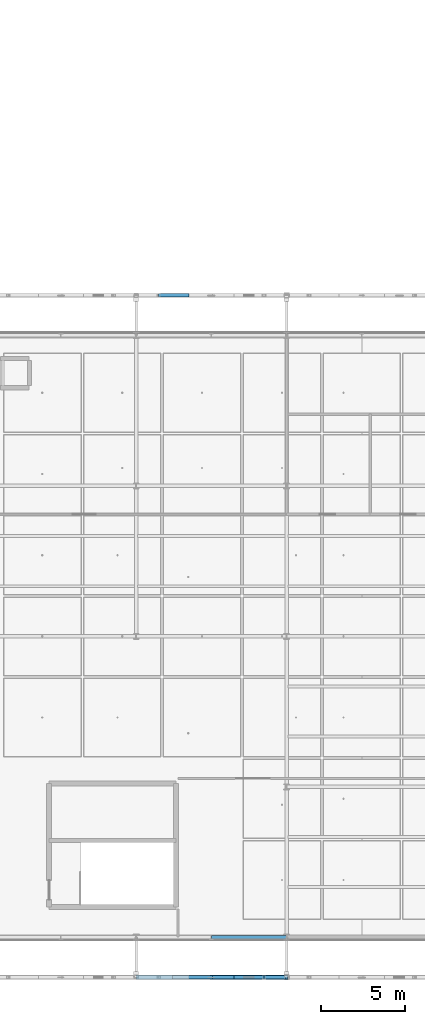
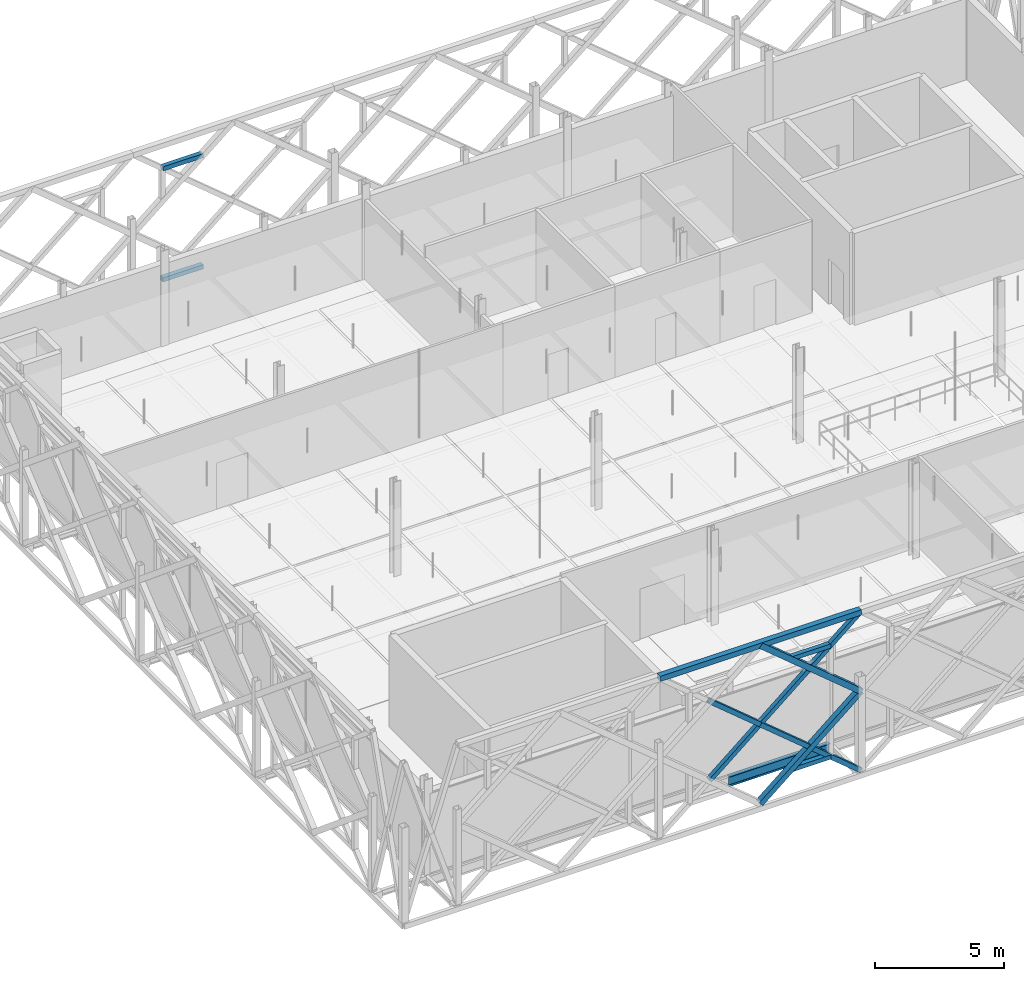
# One storey, part 15 of 66: 12 members, 1 beam.
"""IFC4 building model written with IfcOpenShell, lengths in metres."""

from ifc_helpers import new_model, si_unit, direction, frame, origin, origin_2d, place, context, subcontext, project, spatial, hollow_rectangle, i_section, extrude, material, material_profile, profile_set, type_object, element, save


model = new_model("IFC4")

# Units and contexts
model_context = context("Model", 3, precision=1e-05, world=origin(), true_north=direction((0.0, 1.0)))
body_context = subcontext(model_context, "Body", "Model", "MODEL_VIEW")
ifc_project = project(units=[si_unit("LENGTHUNIT", "METRE"), si_unit("AREAUNIT", "SQUARE_METRE"), si_unit("VOLUMEUNIT", "CUBIC_METRE"), si_unit("PLANEANGLEUNIT", "RADIAN"), si_unit("MASSUNIT", "GRAM", prefix="KILO"), si_unit("THERMODYNAMICTEMPERATUREUNIT", "KELVIN"), si_unit("POWERUNIT", "WATT")], contexts=[model_context])

# Site, building, storey
site_placement = place(None, origin())
site = spatial("IfcSite", under=ifc_project, at=site_placement, CompositionType="ELEMENT")
building_placement = place(site_placement, origin())
building = spatial("IfcBuilding", under=site, at=building_placement, Name="Tallowbark Science Centre", CompositionType="ELEMENT")
storey_placement = place(building_placement, frame((0.0, 0.0, 18.89990234375)))
storey = spatial("IfcBuildingStorey", under=building, at=storey_placement, Name="L04", CompositionType="ELEMENT", Elevation=18.89990234375)

# Members
ifc_material_1 = material(Name="White Architectural Painted Steel Grade C350L0 (350 MPa)", Category="steel")
ifc_material_profile_1 = material_profile(ifc_material_1, hollow_rectangle(XDim=0.25, YDim=0.25, WallThickness=0.009033203125, at=origin_2d()), Name="250x250x9.0SHS")
ifc_profile_set_1 = profile_set([ifc_material_profile_1], Name="White Architectural Painted Steel Grade C350L0 (350 MPa)")
member_type_1 = type_object("IfcMemberType", Name="SCR-CHD200", PredefinedType="CHORD", material=ifc_profile_set_1)
member_1_placement = place(storey_placement, frame((67.5, 2.10009765625, 7.5), z_axis=(1.0, 0.0, 0.0), x_axis=(0.0, 1.0, 0.0)))
element("IfcMember", 1, at=member_1_placement, inside=storey, type_object=member_type_1, Name="Star Screen Frame Chord S-38", PredefinedType="CHORD", context=body_context, shape_type="SweptSolid", body=[
    extrude(hollow_rectangle(XDim=0.25, YDim=0.25, WallThickness=0.009033203125, at=origin_2d()), origin(), (0.0, 0.0, 1.0), 9.0),
])
for number, where, z_axis, x_axis, name in (
    (2, (72.0, 2.10009765625, 0.0), (0.768221279597, 0.0, 0.640184399664), (0.0, 1.0, 0.0), "Star Screen Octagram Diamond Chord S-38-1"),
    (3, (76.5, 2.10009765625, 3.75), (-0.768221279597, 0.0, 0.640184399664), (0.0, -1.0, 0.0), "Star Screen Octagram Diamond Chord S-38-2"),
):
    element("IfcMember", number, at=place(storey_placement, frame(where, z_axis=z_axis, x_axis=x_axis)), inside=storey, type_object=member_type_1, Name=name, PredefinedType="CHORD", context=body_context, shape_type="SweptSolid", body=[
        extrude(hollow_rectangle(XDim=0.25, YDim=0.25, WallThickness=0.009033203125, at=origin_2d()), origin(), (0.0, 0.0, 1.0), 5.857666015625),
    ])
ifc_material_profile_2 = material_profile(ifc_material_1, hollow_rectangle(XDim=0.199951171875, YDim=0.199951171875, WallThickness=0.009033203125, at=origin_2d()), Name="200x200x9.0SHS")
ifc_profile_set_2 = profile_set([ifc_material_profile_2], Name="White Architectural Painted Steel Grade C350L0 (350 MPa)")
member_type_2 = type_object("IfcMemberType", Name="SCR-STAR139", PredefinedType="BRACE", material=ifc_profile_set_2)
member_2_placement = place(storey_placement, frame((69.75, 2.10009765625, 1.875), z_axis=(0.768221279597, 0.0, 0.640184399664), x_axis=(0.0, 1.0, 0.0)))
element("IfcMember", 4, at=member_2_placement, inside=storey, type_object=member_type_2, Name="Star Screen Continuous X-Diagonal D1M S-38", PredefinedType="BRACE", context=body_context, shape_type="SweptSolid", body=[
    extrude(hollow_rectangle(XDim=0.199951171875, YDim=0.199951171875, WallThickness=0.009033203125, at=origin_2d()), origin(), (0.0, 0.0, 1.0), 5.857666015625),
])
for number, where, z_axis, x_axis, name in (
    (5, (74.25, 2.10009765625, 5.625), (0.768221279597, 0.0, 0.640184399664), (0.0, 1.0, 0.0), "Star Screen Continuous X-Diagonal D1B S-38"),
    (6, (69.75, 2.10009765625, 5.625), (0.768221279597, 0.0, -0.640184399664), (0.0, 1.0, 0.0), "Star Screen Split X-Diagonal D2B S-38"),
    (7, (72.0, 2.10009765625, 3.75), (0.768221279597, 0.0, -0.640184399664), (0.0, 1.0, 0.0), "Star Screen Split X-Diagonal D2C S-38"),
    (8, (74.25, 2.10009765625, 1.875), (0.768221279597, 0.0, -0.640184399664), (0.0, 1.0, 0.0), "Star Screen Split X-Diagonal D2D S-38"),
):
    element("IfcMember", number, at=place(storey_placement, frame(where, z_axis=z_axis, x_axis=x_axis)), inside=storey, type_object=member_type_2, Name=name, PredefinedType="BRACE", context=body_context, shape_type="SweptSolid", body=[
        extrude(hollow_rectangle(XDim=0.199951171875, YDim=0.199951171875, WallThickness=0.009033203125, at=origin_2d()), origin(), (0.0, 0.0, 1.0), 2.928955078125),
    ])
ifc_material_profile_3 = material_profile(ifc_material_1, hollow_rectangle(XDim=0.199951171875, YDim=0.199951171875, WallThickness=0.009033203125, at=origin_2d()), Name="200x200x9.0SHS")
ifc_profile_set_3 = profile_set([ifc_material_profile_3], Name="White Architectural Painted Steel Grade C350L0 (350 MPa)")
member_type_3 = type_object("IfcMemberType", Name="SCR-SUB150", PredefinedType="BRACE", material=ifc_profile_set_3)
for number, where, z_axis, x_axis, name in (
    (9, (75.14990234375, 2.10009765625, 1.125), (-1.0, 0.0, 0.0), (0.0, -1.0, 0.0), "Star Screen Octagram Point Ray S-38-3"),
    (10, (75.14990234375, 2.10009765625, 6.375), (-1.0, 0.0, 0.0), (0.0, -1.0, 0.0), "Star Screen Octagram Point Ray S-38-5"),
    (11, (68.85009765625, 42.89990234375, 1.125), (1.0, 0.0, 0.0), (0.0, 1.0, 0.0), "Star Screen Octagram Point Ray N-39-1"),
    (12, (68.85009765625, 42.89990234375, 6.375), (1.0, 0.0, 0.0), (0.0, 1.0, 0.0), "Star Screen Octagram Point Ray N-39-7"),
):
    element("IfcMember", number, at=place(storey_placement, frame(where, z_axis=z_axis, x_axis=x_axis)), inside=storey, type_object=member_type_3, Name=name, PredefinedType="BRACE", context=body_context, shape_type="SweptSolid", body=[
        extrude(hollow_rectangle(XDim=0.199951171875, YDim=0.199951171875, WallThickness=0.009033203125, at=origin_2d()), origin(), (0.0, 0.0, 1.0), 1.7998046875),
    ])

# Beam
ifc_material_2 = material(Name="Structural Steel Grade 300PLUS (300 MPa)", Category="steel")
ifc_material_profile_4 = material_profile(ifc_material_2, i_section(OverallWidth=0.18994140625, OverallDepth=0.453857421875, WebThickness=0.008544921875, FlangeThickness=0.0126953125, FilletRadius=0.011474609375, at=origin_2d()), Name="460UB67.1")
ifc_profile_set_4 = profile_set([ifc_material_profile_4], Name="Structural Steel Grade 300PLUS (300 MPa)")
beam_type = type_object("IfcBeamType", Name="SPN-UB460", PredefinedType="SPANDREL", material=ifc_profile_set_4)
beam_placement = place(storey_placement, frame((72.0, 4.5, -0.40673828125), z_axis=(1.0, 0.0, 0.0), x_axis=(0.0, 1.0, 0.0)))
element("IfcBeam", 13, at=beam_placement, inside=storey, type_object=beam_type, Name="Primary Girder GRDX-L04-720-765-45", PredefinedType="SPANDREL", context=body_context, shape_type="SweptSolid", body=[
    extrude(i_section(OverallWidth=0.18994140625, OverallDepth=0.453857421875, WebThickness=0.008544921875, FlangeThickness=0.0126953125, FilletRadius=0.011474609375, at=origin_2d()), origin(), (0.0, 0.0, 1.0), 4.5),
])

save(model, "model.ifc")
